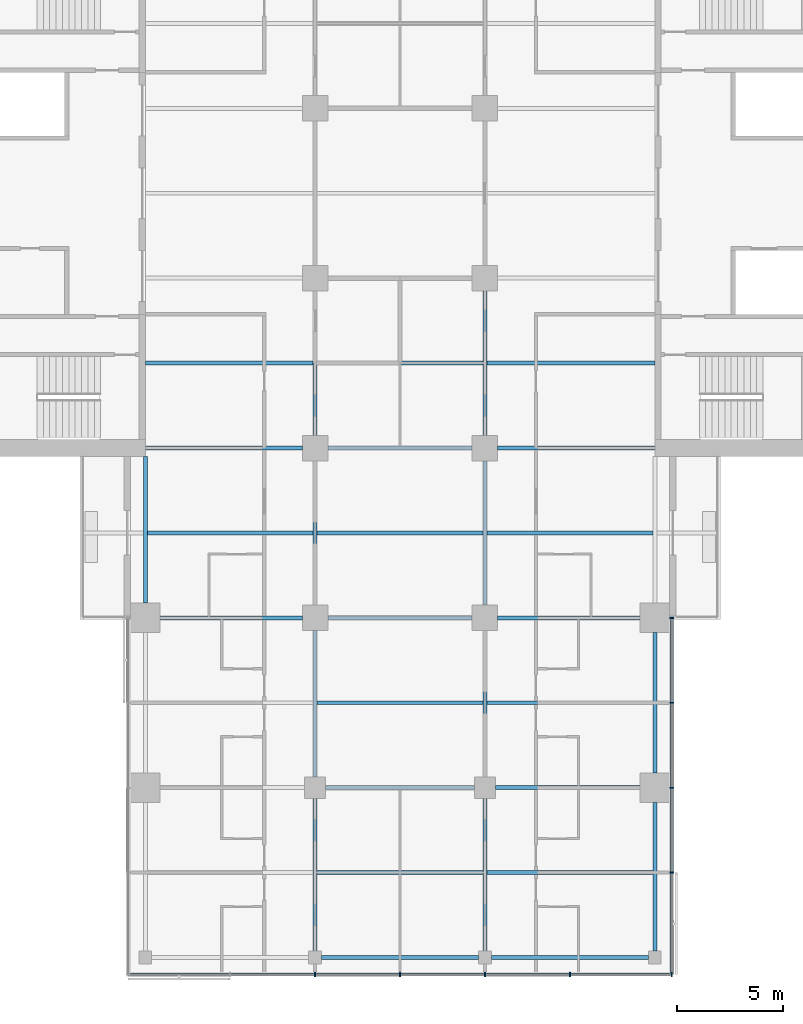
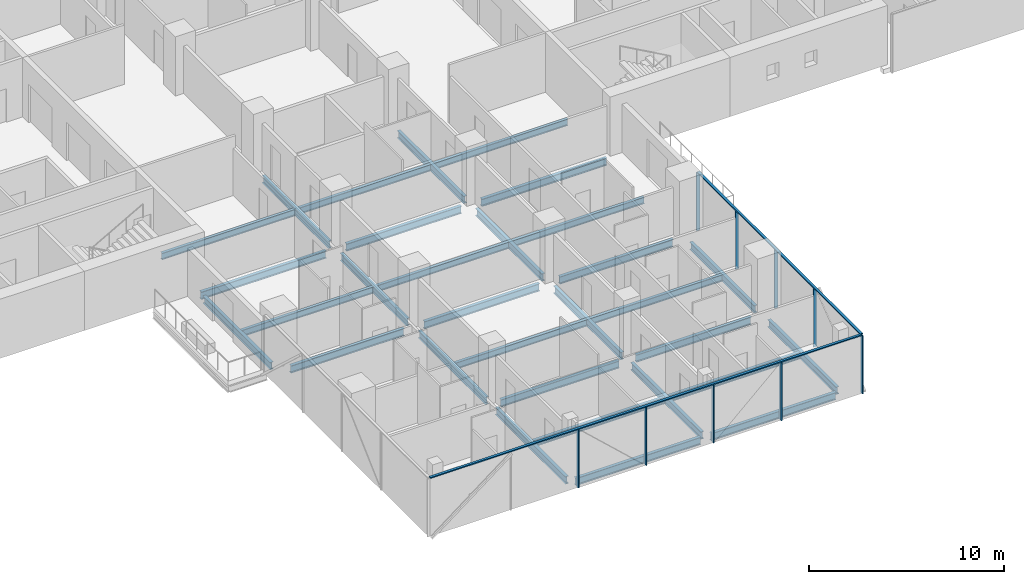
# One storey, part 4 of 29: 31 beams, 11 members, 2 elements without a shape of their own.
"""IFC4 building model written with IfcOpenShell, lengths in metres."""

from ifc_helpers import new_model, si_unit, direction, frame, origin, origin_2d, place, context, subcontext, project, spatial, rectangle, i_section, extrude, material, material_profile, profile_set, type_object, element, aggregate, save


model = new_model("IFC4")

# Units and contexts
model_context = context("Model", 3, precision=1e-05, world=origin(), true_north=direction((0.0, 1.0)))
body_context = subcontext(model_context, "Body", "Model", "MODEL_VIEW")
ifc_project = project(units=[si_unit("LENGTHUNIT", "METRE"), si_unit("AREAUNIT", "SQUARE_METRE"), si_unit("VOLUMEUNIT", "CUBIC_METRE"), si_unit("PLANEANGLEUNIT", "RADIAN"), si_unit("MASSUNIT", "GRAM", prefix="KILO")], contexts=[model_context])

# Site, building, storey
site_placement = place(None, origin())
site = spatial("IfcSite", under=ifc_project, at=site_placement, CompositionType="ELEMENT")
building_placement = place(site_placement, origin())
building = spatial("IfcBuilding", under=site, at=building_placement, Name="Crosswind Convention Tower", CompositionType="ELEMENT")
storey_placement = place(building_placement, frame((0.0, 0.0, 53.5)))
storey = spatial("IfcBuildingStorey", under=building, at=storey_placement, Name="L07", CompositionType="ELEMENT", Elevation=53.5)

# Beams
ifc_material_1 = material(Name="Steel S355", Category="steel")
ifc_material_profile_1 = material_profile(ifc_material_1, i_section(OverallWidth=0.1904296875, OverallDepth=0.457275390625, WebThickness=0.009033203125, FlangeThickness=0.014404296875, FilletRadius=0.01025390625, at=origin_2d()), Name="UB 457x191x75")
ifc_profile_set_1 = profile_set([ifc_material_profile_1], Name="Steel S355")
beam_type_1 = type_object("IfcBeamType", Name="Edge beam UB 457x191x75", PredefinedType="SPANDREL", material=ifc_profile_set_1)
beam_1_placement = place(storey_placement, frame((113.0, 80.699951171875, -0.508544921875), z_axis=(0.0, 1.0, 0.0), x_axis=(-1.0, 0.0, 0.0)))
element("IfcBeam", 1, at=beam_1_placement, inside=storey, type_object=beam_type_1, Name="B17 L07 edge beam 8", PredefinedType="SPANDREL", context=body_context, shape_type="SweptSolid", body=[
    extrude(i_section(OverallWidth=0.1904296875, OverallDepth=0.457275390625, WebThickness=0.009033203125, FlangeThickness=0.014404296875, FilletRadius=0.01025390625, at=origin_2d()), origin(), (0.0, 0.0, 1.0), 6.900146484375),
])
for number, where, z_axis, x_axis, name in (
    (2, (121.300048828125, 64.0, -0.508544921875), (1.0, 0.0, 0.0), (0.0, 1.0, 0.0), "B17 L07 edge beam 14"),
    (3, (129.300048828125, 64.0, -0.508544921875), (1.0, 0.0, 0.0), (0.0, 1.0, 0.0), "B17 L07 edge beam 16"),
):
    element("IfcBeam", number, at=place(storey_placement, frame(where, z_axis=z_axis, x_axis=x_axis)), inside=storey, type_object=beam_type_1, Name=name, PredefinedType="SPANDREL", context=body_context, shape_type="SweptSolid", body=[
        extrude(i_section(OverallWidth=0.1904296875, OverallDepth=0.457275390625, WebThickness=0.009033203125, FlangeThickness=0.014404296875, FilletRadius=0.01025390625, at=origin_2d()), origin(), (0.0, 0.0, 1.0), 7.39990234375),
    ])
beam_2_placement = place(storey_placement, frame((137.0, 64.300048828125, -0.508544921875), z_axis=(0.0, 1.0, 0.0), x_axis=(-1.0, 0.0, 0.0)))
element("IfcBeam", 4, at=beam_2_placement, inside=storey, type_object=beam_type_1, Name="B17 L07 edge beam 18", PredefinedType="SPANDREL", context=body_context, shape_type="SweptSolid", body=[
    extrude(i_section(OverallWidth=0.1904296875, OverallDepth=0.457275390625, WebThickness=0.009033203125, FlangeThickness=0.014404296875, FilletRadius=0.01025390625, at=origin_2d()), origin(), (0.0, 0.0, 1.0), 7.0),
])
beam_3_placement = place(storey_placement, frame((137.0, 72.699951171875, -0.508544921875), z_axis=(0.0, 1.0, 0.0), x_axis=(-1.0, 0.0, 0.0)))
element("IfcBeam", 5, at=beam_3_placement, inside=storey, type_object=beam_type_1, Name="B17 L07 edge beam 19", PredefinedType="SPANDREL", context=body_context, shape_type="SweptSolid", body=[
    extrude(i_section(OverallWidth=0.1904296875, OverallDepth=0.457275390625, WebThickness=0.009033203125, FlangeThickness=0.014404296875, FilletRadius=0.01025390625, at=origin_2d()), origin(), (0.0, 0.0, 1.0), 6.60009765625),
])
ifc_material_profile_2 = material_profile(ifc_material_1, i_section(OverallWidth=0.19140625, OverallDepth=0.460205078125, WebThickness=0.010009765625, FlangeThickness=0.01611328125, FilletRadius=0.01025390625, at=origin_2d()), Name="UB 457x191x82")
ifc_profile_set_2 = profile_set([ifc_material_profile_2], Name="Steel S355")
beam_type_2 = type_object("IfcBeamType", Name="Girder UB 457x191x82", PredefinedType="BEAM", material=ifc_profile_set_2)
beam_4_placement = place(storey_placement, frame((113.699951171875, 80.0, -0.510009765625), z_axis=(1.0, 0.0, 0.0), x_axis=(0.0, 1.0, 0.0)))
element("IfcBeam", 6, at=beam_4_placement, inside=storey, type_object=beam_type_2, Name="B3 L07 girder 2", PredefinedType="BEAM", context=body_context, shape_type="SweptSolid", body=[
    extrude(i_section(OverallWidth=0.19140625, OverallDepth=0.460205078125, WebThickness=0.010009765625, FlangeThickness=0.01611328125, FilletRadius=0.01025390625, at=origin_2d()), origin(), (0.0, 0.0, 1.0), 6.699951171875),
])
beam_5_placement = place(storey_placement, frame((121.0, 64.300048828125, -0.510009765625), z_axis=(0.0, 1.0, 0.0), x_axis=(-1.0, 0.0, 0.0)))
element("IfcBeam", 7, at=beam_5_placement, inside=storey, type_object=beam_type_2, Name="B3 L07 girder 5", PredefinedType="BEAM", context=body_context, shape_type="SweptSolid", body=[
    extrude(i_section(OverallWidth=0.19140625, OverallDepth=0.460205078125, WebThickness=0.010009765625, FlangeThickness=0.01611328125, FilletRadius=0.01025390625, at=origin_2d()), origin(), (0.0, 0.0, 1.0), 7.199951171875),
])
beam_6_placement = place(storey_placement, frame((121.0, 72.5, -0.510009765625), z_axis=(0.0, 1.0, 0.0), x_axis=(-1.0, 0.0, 0.0)))
element("IfcBeam", 8, at=beam_6_placement, inside=storey, type_object=beam_type_2, Name="B3 L07 girder 6", PredefinedType="BEAM", context=body_context, shape_type="SweptSolid", body=[
    extrude(i_section(OverallWidth=0.19140625, OverallDepth=0.460205078125, WebThickness=0.010009765625, FlangeThickness=0.01611328125, FilletRadius=0.01025390625, at=origin_2d()), origin(), (0.0, 0.0, 1.0), 6.89990234375),
])
for number, where, z_axis, x_axis, name in (
    (9, (121.0, 80.60009765625, -0.510009765625), (0.0, 1.0, 0.0), (-1.0, 0.0, 0.0), "B3 L07 girder 7"),
    (10, (121.0, 88.60009765625, -0.510009765625), (0.0, 1.0, 0.0), (-1.0, 0.0, 0.0), "B3 L07 girder 8"),
):
    element("IfcBeam", number, at=place(storey_placement, frame(where, z_axis=z_axis, x_axis=x_axis)), inside=storey, type_object=beam_type_2, Name=name, PredefinedType="BEAM", context=body_context, shape_type="SweptSolid", body=[
        extrude(i_section(OverallWidth=0.19140625, OverallDepth=0.460205078125, WebThickness=0.010009765625, FlangeThickness=0.01611328125, FilletRadius=0.01025390625, at=origin_2d()), origin(), (0.0, 0.0, 1.0), 6.7998046875),
    ])
beam_7_placement = place(storey_placement, frame((121.5, 72.0, -0.510009765625), z_axis=(1.0, 0.0, 0.0), x_axis=(0.0, 1.0, 0.0)))
element("IfcBeam", 11, at=beam_7_placement, inside=storey, type_object=beam_type_2, Name="B3 L07 girder 14", PredefinedType="BEAM", context=body_context, shape_type="SweptSolid", body=[
    extrude(i_section(OverallWidth=0.19140625, OverallDepth=0.460205078125, WebThickness=0.010009765625, FlangeThickness=0.01611328125, FilletRadius=0.01025390625, at=origin_2d()), origin(), (0.0, 0.0, 1.0), 7.0),
])
for number, where, z_axis, x_axis, name in (
    (12, (121.60009765625, 80.0, -0.510009765625), (1.0, 0.0, 0.0), (0.0, 1.0, 0.0), "B3 L07 girder 16"),
    (13, (121.60009765625, 88.0, -0.510009765625), (1.0, 0.0, 0.0), (0.0, 1.0, 0.0), "B3 L07 girder 17"),
):
    element("IfcBeam", number, at=place(storey_placement, frame(where, z_axis=z_axis, x_axis=x_axis)), inside=storey, type_object=beam_type_2, Name=name, PredefinedType="BEAM", context=body_context, shape_type="SweptSolid", body=[
        extrude(i_section(OverallWidth=0.19140625, OverallDepth=0.460205078125, WebThickness=0.010009765625, FlangeThickness=0.01611328125, FilletRadius=0.01025390625, at=origin_2d()), origin(), (0.0, 0.0, 1.0), 6.7998046875),
    ])
beam_8_placement = place(storey_placement, frame((129.0, 64.300048828125, -0.510009765625), z_axis=(0.0, 1.0, 0.0), x_axis=(-1.0, 0.0, 0.0)))
element("IfcBeam", 14, at=beam_8_placement, inside=storey, type_object=beam_type_2, Name="B3 L07 girder 22", PredefinedType="BEAM", context=body_context, shape_type="SweptSolid", body=[
    extrude(i_section(OverallWidth=0.19140625, OverallDepth=0.460205078125, WebThickness=0.010009765625, FlangeThickness=0.01611328125, FilletRadius=0.01025390625, at=origin_2d()), origin(), (0.0, 0.0, 1.0), 7.199951171875),
])
beam_9_placement = place(storey_placement, frame((129.0, 72.5, -0.510009765625), z_axis=(0.0, 1.0, 0.0), x_axis=(-1.0, 0.0, 0.0)))
element("IfcBeam", 15, at=beam_9_placement, inside=storey, type_object=beam_type_2, Name="B3 L07 girder 23", PredefinedType="BEAM", context=body_context, shape_type="SweptSolid", body=[
    extrude(i_section(OverallWidth=0.19140625, OverallDepth=0.460205078125, WebThickness=0.010009765625, FlangeThickness=0.01611328125, FilletRadius=0.01025390625, at=origin_2d()), origin(), (0.0, 0.0, 1.0), 6.89990234375),
])
for number, where, z_axis, x_axis, name in (
    (16, (129.0, 80.60009765625, -0.510009765625), (0.0, 1.0, 0.0), (-1.0, 0.0, 0.0), "B3 L07 girder 24"),
    (17, (129.0, 88.60009765625, -0.510009765625), (0.0, 1.0, 0.0), (-1.0, 0.0, 0.0), "B3 L07 girder 25"),
):
    element("IfcBeam", number, at=place(storey_placement, frame(where, z_axis=z_axis, x_axis=x_axis)), inside=storey, type_object=beam_type_2, Name=name, PredefinedType="BEAM", context=body_context, shape_type="SweptSolid", body=[
        extrude(i_section(OverallWidth=0.19140625, OverallDepth=0.460205078125, WebThickness=0.010009765625, FlangeThickness=0.01611328125, FilletRadius=0.01025390625, at=origin_2d()), origin(), (0.0, 0.0, 1.0), 6.7998046875),
    ])
beam_10_placement = place(storey_placement, frame((129.5, 72.0, -0.510009765625), z_axis=(1.0, 0.0, 0.0), x_axis=(0.0, 1.0, 0.0)))
element("IfcBeam", 18, at=beam_10_placement, inside=storey, type_object=beam_type_2, Name="B3 L07 girder 31", PredefinedType="BEAM", context=body_context, shape_type="SweptSolid", body=[
    extrude(i_section(OverallWidth=0.19140625, OverallDepth=0.460205078125, WebThickness=0.010009765625, FlangeThickness=0.01611328125, FilletRadius=0.01025390625, at=origin_2d()), origin(), (0.0, 0.0, 1.0), 6.800048828125),
])
beam_11_placement = place(storey_placement, frame((129.60009765625, 80.0, -0.510009765625), z_axis=(1.0, 0.0, 0.0), x_axis=(0.0, 1.0, 0.0)))
element("IfcBeam", 19, at=beam_11_placement, inside=storey, type_object=beam_type_2, Name="B3 L07 girder 33", PredefinedType="BEAM", context=body_context, shape_type="SweptSolid", body=[
    extrude(i_section(OverallWidth=0.19140625, OverallDepth=0.460205078125, WebThickness=0.010009765625, FlangeThickness=0.01611328125, FilletRadius=0.01025390625, at=origin_2d()), origin(), (0.0, 0.0, 1.0), 6.699951171875),
])
ifc_material_profile_3 = material_profile(ifc_material_1, i_section(OverallWidth=0.19189453125, OverallDepth=0.463623046875, WebThickness=0.010498046875, FlangeThickness=0.017578125, FilletRadius=0.01025390625, at=origin_2d()), Name="UB 457x191x90")
ifc_profile_set_3 = profile_set([ifc_material_profile_3], Name="Steel S355")
beam_type_3 = type_object("IfcBeamType", Name="Girder at core wall UB 457x191x90", PredefinedType="BEAM", material=ifc_profile_set_3)
for number, where, z_axis, x_axis, name in (
    (20, (113.0, 88.0, -0.51171875), (1.0, 0.0, 0.0), (0.0, 1.0, 0.0), "B24 L07 girder at core wall 3"),
    (21, (129.60009765625, 88.0, -0.51171875), (1.0, 0.0, 0.0), (0.0, 1.0, 0.0), "B24 L07 girder at core wall 7"),
):
    element("IfcBeam", number, at=place(storey_placement, frame(where, z_axis=z_axis, x_axis=x_axis)), inside=storey, type_object=beam_type_3, Name=name, PredefinedType="BEAM", context=body_context, shape_type="SweptSolid", body=[
        extrude(i_section(OverallWidth=0.19189453125, OverallDepth=0.463623046875, WebThickness=0.010498046875, FlangeThickness=0.017578125, FilletRadius=0.01025390625, at=origin_2d()), origin(), (0.0, 0.0, 1.0), 7.39990234375),
    ])

# Curtain wall, members
ifc_material_2 = material(Name="Aluminium unitised curtain wall", Category="aluminium")
curtain_wall_type = type_object("IfcCurtainWallType", Name="HOTEL UNITISED WALL 200", PredefinedType="USERDEFINED", material=ifc_material_2)
curtain_wall_1_placement = place(storey_placement, origin())
curtain_wall_1 = element("IfcCurtainWall", 22, at=curtain_wall_1_placement, inside=storey, type_object=curtain_wall_type, Name="CW2 L07 S-TIP 1", ObjectType="UNITISED", PredefinedType="USERDEFINED")
ifc_material_3 = material(Name="Aluminium mullion", Category="aluminium")
ifc_material_profile_4 = material_profile(ifc_material_3, rectangle(XDim=0.199951171875, YDim=0.06494140625, at=origin_2d()), Name="AL 200X65")
ifc_profile_set_4 = profile_set([ifc_material_profile_4], Name="Aluminium mullion")
member_type_1 = type_object("IfcMemberType", Name="MULLION 65X200", PredefinedType="MULLION", material=ifc_profile_set_4)
member_1_placement = place(storey_placement, frame((121.0, 63.199951171875, -0.280029296875), z_axis=(0.0, 0.0, 1.0), x_axis=(0.0, -1.0, 0.0)))
member_1 = element("IfcMember", 23, at=member_1_placement, type_object=member_type_1, Name="CW2 mullion 3", PredefinedType="MULLION", context=body_context, shape_type="SweptSolid", body=[
    extrude(rectangle(XDim=0.199951171875, YDim=0.06494140625, at=origin_2d()), origin(), (0.0, 0.0, 1.0), 3.635009765625),
])
member_2_placement = place(storey_placement, frame((125.0, 63.199951171875, -0.280029296875), z_axis=(0.0, 0.0, 1.0), x_axis=(0.0, -1.0, 0.0)))
member_2 = element("IfcMember", 24, at=member_2_placement, type_object=member_type_1, Name="CW2 mullion 4", PredefinedType="MULLION", context=body_context, shape_type="SweptSolid", body=[
    extrude(rectangle(XDim=0.199951171875, YDim=0.06494140625, at=origin_2d()), origin(), (0.0, 0.0, 1.0), 3.635009765625),
])
member_3_placement = place(storey_placement, frame((129.0, 63.199951171875, -0.280029296875), z_axis=(0.0, 0.0, 1.0), x_axis=(0.0, -1.0, 0.0)))
member_3 = element("IfcMember", 25, at=member_3_placement, type_object=member_type_1, Name="CW2 mullion 5", PredefinedType="MULLION", context=body_context, shape_type="SweptSolid", body=[
    extrude(rectangle(XDim=0.199951171875, YDim=0.06494140625, at=origin_2d()), origin(), (0.0, 0.0, 1.0), 3.635009765625),
])
member_4_placement = place(storey_placement, frame((133.0, 63.199951171875, -0.280029296875), z_axis=(0.0, 0.0, 1.0), x_axis=(0.0, -1.0, 0.0)))
member_4 = element("IfcMember", 26, at=member_4_placement, type_object=member_type_1, Name="CW2 mullion 6", PredefinedType="MULLION", context=body_context, shape_type="SweptSolid", body=[
    extrude(rectangle(XDim=0.199951171875, YDim=0.06494140625, at=origin_2d()), origin(), (0.0, 0.0, 1.0), 3.635009765625),
])
member_5_placement = place(storey_placement, frame((137.800048828125, 63.199951171875, -0.280029296875), z_axis=(0.0, 0.0, 1.0), x_axis=(0.0, -1.0, 0.0)))
member_5 = element("IfcMember", 27, at=member_5_placement, type_object=member_type_1, Name="CW2 mullion 7", PredefinedType="MULLION", context=body_context, shape_type="SweptSolid", body=[
    extrude(rectangle(XDim=0.199951171875, YDim=0.06494140625, at=origin_2d()), origin(), (0.0, 0.0, 1.0), 3.635009765625),
])

curtain_wall_2_placement = place(storey_placement, origin())
curtain_wall_2 = element("IfcCurtainWall", 28, at=curtain_wall_2_placement, inside=storey, type_object=curtain_wall_type, Name="CW2 L07 S-E 1", ObjectType="UNITISED", PredefinedType="USERDEFINED")
member_6_placement = place(storey_placement, frame((137.800048828125, 68.0, -0.280029296875), z_axis=(0.0, 0.0, 1.0), x_axis=(1.0, 0.0, 0.0)))
member_6 = element("IfcMember", 29, at=member_6_placement, type_object=member_type_1, Name="CW2 mullion 2", PredefinedType="MULLION", context=body_context, shape_type="SweptSolid", body=[
    extrude(rectangle(XDim=0.199951171875, YDim=0.06494140625, at=origin_2d()), origin(), (0.0, 0.0, 1.0), 3.635009765625),
])
member_7_placement = place(storey_placement, frame((137.800048828125, 72.0, -0.280029296875), z_axis=(0.0, 0.0, 1.0), x_axis=(1.0, 0.0, 0.0)))
member_7 = element("IfcMember", 30, at=member_7_placement, type_object=member_type_1, Name="CW2 mullion 3", PredefinedType="MULLION", context=body_context, shape_type="SweptSolid", body=[
    extrude(rectangle(XDim=0.199951171875, YDim=0.06494140625, at=origin_2d()), origin(), (0.0, 0.0, 1.0), 3.635009765625),
])
member_8_placement = place(storey_placement, frame((137.800048828125, 76.0, -0.280029296875), z_axis=(0.0, 0.0, 1.0), x_axis=(1.0, 0.0, 0.0)))
member_8 = element("IfcMember", 31, at=member_8_placement, type_object=member_type_1, Name="CW2 mullion 4", PredefinedType="MULLION", context=body_context, shape_type="SweptSolid", body=[
    extrude(rectangle(XDim=0.199951171875, YDim=0.06494140625, at=origin_2d()), origin(), (0.0, 0.0, 1.0), 3.635009765625),
])
member_9_placement = place(storey_placement, frame((137.800048828125, 80.0, -0.280029296875), z_axis=(0.0, 0.0, 1.0), x_axis=(1.0, 0.0, 0.0)))
member_9 = element("IfcMember", 32, at=member_9_placement, type_object=member_type_1, Name="CW2 mullion 5", PredefinedType="MULLION", context=body_context, shape_type="SweptSolid", body=[
    extrude(rectangle(XDim=0.199951171875, YDim=0.06494140625, at=origin_2d()), origin(), (0.0, 0.0, 1.0), 3.635009765625),
])

# Beams
ifc_material_profile_5 = material_profile(ifc_material_1, i_section(OverallWidth=0.177734375, OverallDepth=0.406494140625, WebThickness=0.0078125, FlangeThickness=0.0126953125, FilletRadius=0.01025390625, at=origin_2d()), Name="UB 406x178x60")
ifc_profile_set_5 = profile_set([ifc_material_profile_5], Name="Steel S355")
beam_type_4 = type_object("IfcBeamType", Name="Secondary beam UB 406x178x60", PredefinedType="JOIST", material=ifc_profile_set_5)
beam_12_placement = place(storey_placement, frame((113.0, 92.0, -0.483154296875), z_axis=(1.0, 0.0, 0.0), x_axis=(0.0, 1.0, 0.0)))
element("IfcBeam", 33, at=beam_12_placement, inside=storey, type_object=beam_type_4, Name="B10 L07 secondary beam 4", PredefinedType="JOIST", context=body_context, shape_type="SweptSolid", body=[
    extrude(i_section(OverallWidth=0.177734375, OverallDepth=0.406494140625, WebThickness=0.0078125, FlangeThickness=0.0126953125, FilletRadius=0.01025390625, at=origin_2d()), origin(), (0.0, 0.0, 1.0), 7.904296875),
])
beam_13_placement = place(storey_placement, frame((113.09521484375, 84.0, -0.483154296875), z_axis=(1.0, 0.0, 0.0), x_axis=(0.0, 1.0, 0.0)))
element("IfcBeam", 34, at=beam_13_placement, inside=storey, type_object=beam_type_4, Name="B10 L07 secondary beam 9", PredefinedType="JOIST", context=body_context, shape_type="SweptSolid", body=[
    extrude(i_section(OverallWidth=0.177734375, OverallDepth=0.406494140625, WebThickness=0.0078125, FlangeThickness=0.0126953125, FilletRadius=0.01025390625, at=origin_2d()), origin(), (0.0, 0.0, 1.0), 7.80908203125),
])
for number, where, z_axis, x_axis, name in (
    (35, (121.095703125, 68.0, -0.483154296875), (1.0, 0.0, 0.0), (0.0, 1.0, 0.0), "B10 L07 secondary beam 13"),
    (36, (121.095703125, 76.0, -0.483154296875), (1.0, 0.0, 0.0), (0.0, 1.0, 0.0), "B10 L07 secondary beam 14"),
    (37, (121.095703125, 84.0, -0.483154296875), (1.0, 0.0, 0.0), (0.0, 1.0, 0.0), "B10 L07 secondary beam 15"),
    (38, (121.095703125, 92.0, -0.483154296875), (1.0, 0.0, 0.0), (0.0, 1.0, 0.0), "B10 L07 secondary beam 16"),
):
    element("IfcBeam", number, at=place(storey_placement, frame(where, z_axis=z_axis, x_axis=x_axis)), inside=storey, type_object=beam_type_4, Name=name, PredefinedType="JOIST", context=body_context, shape_type="SweptSolid", body=[
        extrude(i_section(OverallWidth=0.177734375, OverallDepth=0.406494140625, WebThickness=0.0078125, FlangeThickness=0.0126953125, FilletRadius=0.01025390625, at=origin_2d()), origin(), (0.0, 0.0, 1.0), 7.80859375),
    ])
for number, where, z_axis, x_axis, name in (
    (39, (129.095703125, 68.0, -0.483154296875), (1.0, 0.0, 0.0), (0.0, 1.0, 0.0), "B10 L07 secondary beam 22"),
    (40, (129.095703125, 76.0, -0.483154296875), (1.0, 0.0, 0.0), (0.0, 1.0, 0.0), "B10 L07 secondary beam 23"),
    (41, (129.095703125, 84.0, -0.483154296875), (1.0, 0.0, 0.0), (0.0, 1.0, 0.0), "B10 L07 secondary beam 24"),
):
    element("IfcBeam", number, at=place(storey_placement, frame(where, z_axis=z_axis, x_axis=x_axis)), inside=storey, type_object=beam_type_4, Name=name, PredefinedType="JOIST", context=body_context, shape_type="SweptSolid", body=[
        extrude(i_section(OverallWidth=0.177734375, OverallDepth=0.406494140625, WebThickness=0.0078125, FlangeThickness=0.0126953125, FilletRadius=0.01025390625, at=origin_2d()), origin(), (0.0, 0.0, 1.0), 7.80908203125),
    ])
beam_14_placement = place(storey_placement, frame((129.095703125, 92.0, -0.483154296875), z_axis=(1.0, 0.0, 0.0), x_axis=(0.0, 1.0, 0.0)))
element("IfcBeam", 42, at=beam_14_placement, inside=storey, type_object=beam_type_4, Name="B10 L07 secondary beam 25", PredefinedType="JOIST", context=body_context, shape_type="SweptSolid", body=[
    extrude(i_section(OverallWidth=0.177734375, OverallDepth=0.406494140625, WebThickness=0.0078125, FlangeThickness=0.0126953125, FilletRadius=0.01025390625, at=origin_2d()), origin(), (0.0, 0.0, 1.0), 7.904296875),
])

# Member
ifc_material_4 = material(Name="Aluminium transom", Category="aluminium")
ifc_material_profile_6 = material_profile(ifc_material_4, rectangle(XDim=0.14990234375, YDim=0.06494140625, at=origin_2d()), Name="AL 150X65")
ifc_profile_set_6 = profile_set([ifc_material_profile_6], Name="Aluminium transom")
member_type_2 = type_object("IfcMemberType", Name="TRANSOM 65X150", PredefinedType="USERDEFINED", material=ifc_profile_set_6)
member_10_placement = place(storey_placement, frame((112.232421875, 63.199951171875, 3.387451171875), z_axis=(1.0, 0.0, 0.0), x_axis=(0.0, 1.0, 0.0)))
member_10 = element("IfcMember", 43, at=member_10_placement, type_object=member_type_2, Name="CW2 transom", ObjectType="TRANSOM", PredefinedType="USERDEFINED", context=body_context, shape_type="SweptSolid", body=[
    extrude(rectangle(XDim=0.14990234375, YDim=0.06494140625, at=origin_2d()), origin(), (0.0, 0.0, 1.0), 25.53515625),
])

aggregate(curtain_wall_1, [member_1, member_2, member_3, member_4, member_5, member_10])

member_11_placement = place(storey_placement, frame((137.800048828125, 63.232421875, 3.387451171875), z_axis=(0.0, 1.0, 0.0), x_axis=(-1.0, 0.0, 0.0)))
member_11 = element("IfcMember", 44, at=member_11_placement, type_object=member_type_2, Name="CW2 transom", ObjectType="TRANSOM", PredefinedType="USERDEFINED", context=body_context, shape_type="SweptSolid", body=[
    extrude(rectangle(XDim=0.14990234375, YDim=0.06494140625, at=origin_2d()), origin(), (0.0, 0.0, 1.0), 16.735107421875),
])

aggregate(curtain_wall_2, [member_6, member_7, member_8, member_9, member_11])

save(model, "model.ifc")
